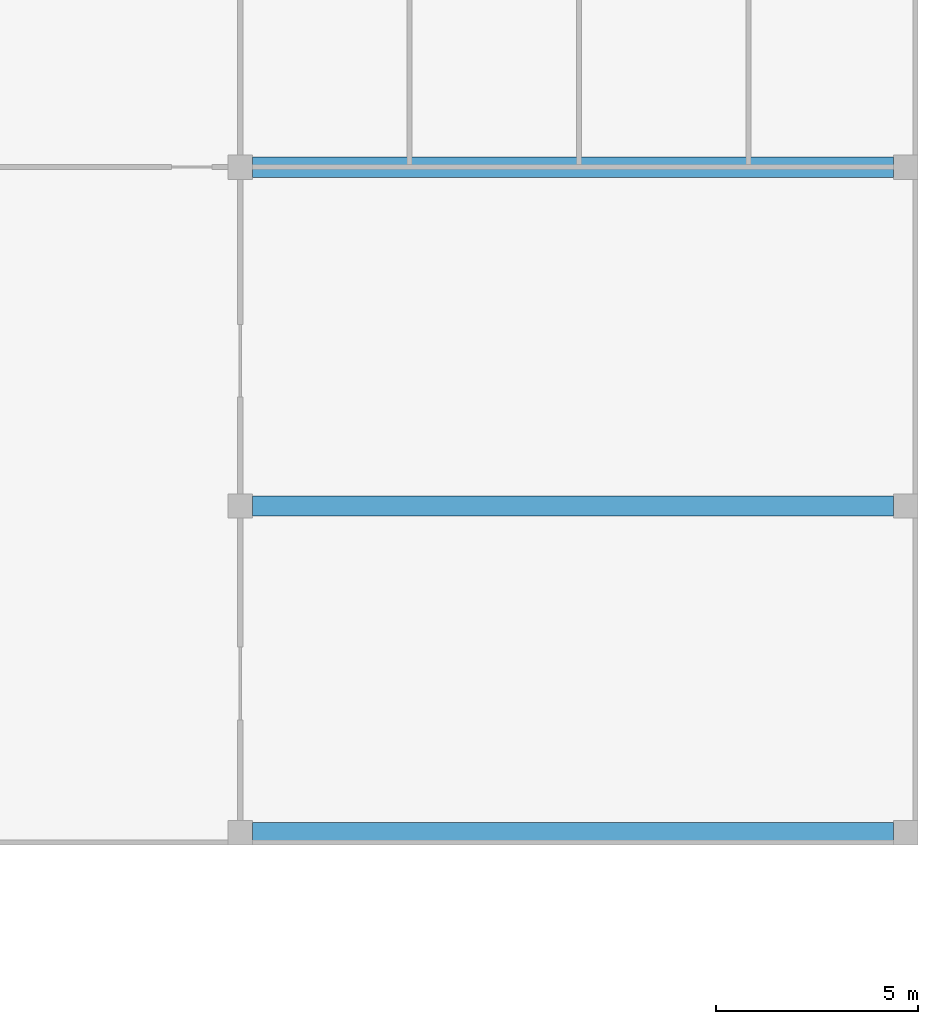
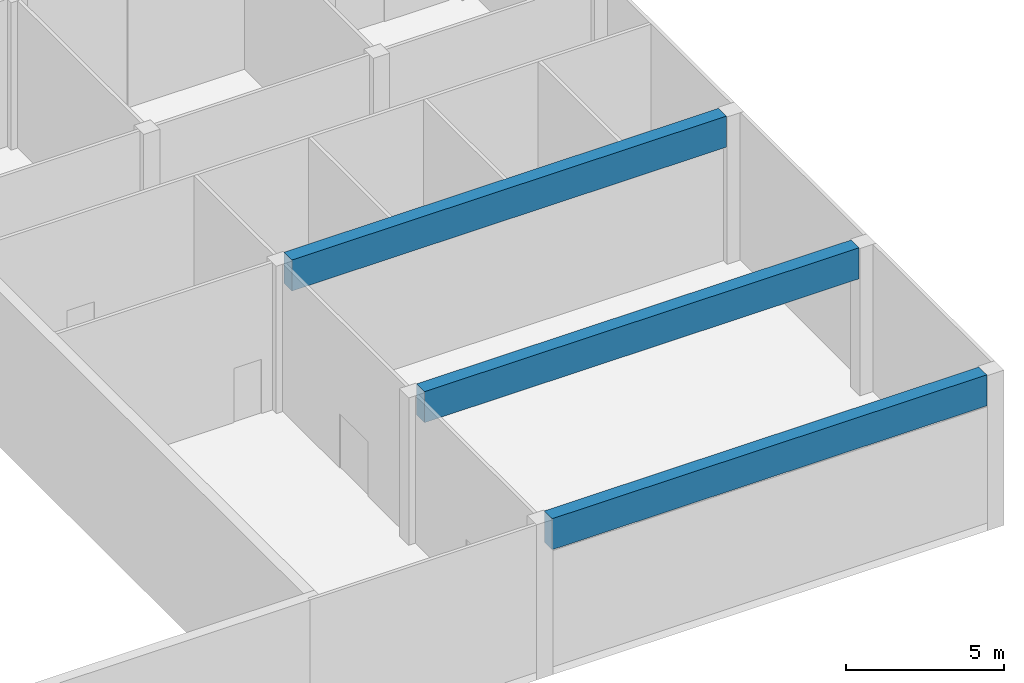
# One storey, part 11 of 47: 3 beams.
"""IFC4 building model written with IfcOpenShell, lengths in metres."""

import ifcopenshell
import ifcopenshell.guid

model = None  # the IFC model being written
_history = None  # IfcOwnerHistory: only IFC2X3 demands one
_inside = {}  # id of a spatial element -> (the spatial element, [elements in it])
_under = {}  # id of a project, library or spatial element -> (it, [spatial elements below it])
_declared = {}  # id of a project -> (the project, [libraries it declares])
_typed = {}  # id of a type object -> (the type object, [elements of that type])
_made_of = {}  # id of a material, layer set ... -> (it, [elements and type objects made of it])


def new_model(schema):
    """Start an empty IFC model of exactly this schema.

    Asked for "IFC4X3", IfcOpenShell would pick the latest addendum, in which some entities
    have other attributes; the version numbers below select the first issue.
    IFC2X3 requires an IfcOwnerHistory on every rooted entity: one is made here for all.
    """
    global model, _history
    if schema == "IFC4X3":
        model = ifcopenshell.file(schema_version=(4, 3, 0, 0))
    else:
        model = ifcopenshell.file(schema=schema)
    _inside.clear()
    _under.clear()
    _declared.clear()
    _typed.clear()
    _made_of.clear()
    _history = None
    if model.schema == "IFC2X3":
        org = make("IfcOrganization", Name="unknown")
        user = make(
            "IfcPersonAndOrganization",
            ThePerson=make("IfcPerson", FamilyName="unknown"),
            TheOrganization=org,
        )
        app = make(
            "IfcApplication",
            ApplicationDeveloper=org,
            Version="unknown",
            ApplicationFullName="unknown",
            ApplicationIdentifier="unknown",
        )
        _history = make(
            "IfcOwnerHistory",
            OwningUser=user,
            OwningApplication=app,
            ChangeAction="ADDED",
            CreationDate=0,
        )
    return model


def make(cls, **values):
    """One entity of the class cls with the attributes given. An attribute that is None is left unset."""
    return model.create_entity(
        cls, **{name: value for name, value in values.items() if value is not None}
    )


def rooted(cls, **values):
    """An entity with a GlobalId (a new one), such as an element, a storey or a relation."""
    return make(cls, GlobalId=ifcopenshell.guid.new(), OwnerHistory=_history, **values)


def si_unit(unit_type, name, prefix=None):
    """IfcSIUnit, for example si_unit("LENGTHUNIT", "METRE", prefix="MILLI")."""
    return make("IfcSIUnit", UnitType=unit_type, Prefix=prefix, Name=name)


def assignment(units):
    """IfcUnitAssignment: the units of a project."""
    return None if units is None else make("IfcUnitAssignment", Units=units)


def point(xyz):
    """IfcCartesianPoint."""
    return None if xyz is None else make("IfcCartesianPoint", Coordinates=xyz)


def direction(xyz):
    """IfcDirection."""
    return None if xyz is None else make("IfcDirection", DirectionRatios=xyz)


def frame(location, z_axis=None, x_axis=None):
    """IfcAxis2Placement3D, a coordinate frame: its origin and axes. An axis left out is left unset."""
    return make(
        "IfcAxis2Placement3D",
        Location=point(location),
        Axis=direction(z_axis),
        RefDirection=direction(x_axis),
    )


def frame_2d(location, x_axis=None):
    """IfcAxis2Placement2D, a coordinate frame in the plane: its origin and x axis."""
    return make(
        "IfcAxis2Placement2D", Location=point(location), RefDirection=direction(x_axis)
    )


def origin():
    """The frame at (0, 0, 0) with its axes left unset."""
    return frame((0.0, 0.0, 0.0))


def origin_2d():
    """The frame at (0, 0) in the plane with its x axis left unset."""
    return frame_2d((0.0, 0.0))


def place(relative_to, where):
    """IfcLocalPlacement: puts the frame where relative to a parent placement (None: the world)."""
    return make(
        "IfcLocalPlacement", PlacementRelTo=relative_to, RelativePlacement=where
    )


def context(
    kind, dimensions, precision=None, world=None, true_north=None, identifier=None
):
    """IfcGeometricRepresentationContext, for example the 3D "Model" context."""
    return make(
        "IfcGeometricRepresentationContext",
        ContextIdentifier=identifier,
        ContextType=kind,
        CoordinateSpaceDimension=dimensions,
        Precision=precision,
        WorldCoordinateSystem=world,
        TrueNorth=true_north,
    )


def subcontext(parent, identifier, kind, view, scale=None):
    """IfcGeometricRepresentationSubContext, for example "Body" below "Model"."""
    return make(
        "IfcGeometricRepresentationSubContext",
        ContextIdentifier=identifier,
        ContextType=kind,
        ParentContext=parent,
        TargetScale=scale,
        TargetView=view,
    )


def project(units=None, contexts=None):
    """IfcProject with its units and contexts."""
    return rooted(
        "IfcProject",
        Name="project",
        RepresentationContexts=contexts,
        UnitsInContext=assignment(units),
    )


def spatial(cls, under=None, at=None, **own):
    """A site, building, storey or space (cls), placed at a placement, below another one or the project."""
    s = rooted(cls, ObjectPlacement=at, **own)
    if under is not None:
        _under.setdefault(under.id(), (under, []))[1].append(s)
    return s


def profile(cls, at=None, kind="AREA", **sizes):
    """A parametric profile (cls). Its sizes go by their IFC names, for example OverallWidth=200.0."""
    return make(cls, ProfileType=kind, Position=at, **sizes)


def rectangle(**sizes):
    """IfcRectangleProfileDef."""
    return profile("IfcRectangleProfileDef", **sizes)


def extrude(swept, where, along, depth):
    """IfcExtrudedAreaSolid: the profile swept, set in the frame where, extruded along a direction by depth."""
    return make(
        "IfcExtrudedAreaSolid",
        SweptArea=swept,
        Position=where,
        ExtrudedDirection=direction(along),
        Depth=depth,
    )


def shape(context_of_items, identifier, shape_type, items):
    """IfcShapeRepresentation: the items that make up one representation, for example the "Body"."""
    return make(
        "IfcShapeRepresentation",
        ContextOfItems=context_of_items,
        RepresentationIdentifier=identifier,
        RepresentationType=shape_type,
        Items=items,
    )


def material(Name=None, Category=None):
    """IfcMaterial."""
    return make("IfcMaterial", Name=Name, Category=Category)


def material_profile(
    of_material, cross_section, Name=None, Category=None, Priority=None
):
    """IfcMaterialProfile: a cross section and its material."""
    return make(
        "IfcMaterialProfile",
        Name=Name,
        Material=of_material,
        Profile=cross_section,
        Priority=Priority,
        Category=Category,
    )


def profile_set(profiles, Name=None, composite=None):
    """IfcMaterialProfileSet."""
    return make(
        "IfcMaterialProfileSet",
        Name=Name,
        MaterialProfiles=profiles,
        CompositeProfile=composite,
    )


def made_of(thing, what):
    """Note that an element or type object is made of a material, layer set ...; save() writes the relation."""
    if what is not None:
        _made_of.setdefault(what.id(), (what, []))[1].append(thing)
    return thing


def type_object(cls, material=None, **own):
    """A type object (cls), such as IfcWallType, which elements share."""
    return made_of(rooted(cls, **own), material)


def element(
    cls,
    number,
    at=None,
    inside=None,
    cuts=None,
    type_object=None,
    material=None,
    context=None,
    identifier="Body",
    shape_type=None,
    held_by="IfcProductDefinitionShape",
    body=None,
    shapes=None,
    **own,
):
    """One element of the class cls, such as IfcWall. Its Tag is "e" and its number.

    at: its placement. inside: the storey or other place that contains it. cuts: it is an
    opening in that element (IfcRelVoidsElement). A single representation is given by context,
    identifier, shape_type and body (its items); several are given by shapes. held_by: the class
    of the entity that holds the representations. save() writes the other relations.
    """
    e = rooted(cls, Tag="e%d" % number, ObjectPlacement=at, **own)
    if body is not None:
        shapes = [shape(context, identifier, shape_type, body)]
    if shapes is not None:
        e.Representation = make(held_by, Representations=shapes)
    if inside is not None:
        _inside.setdefault(inside.id(), (inside, []))[1].append(e)
    if cuts is not None:
        rooted(
            "IfcRelVoidsElement", RelatingBuildingElement=cuts, RelatedOpeningElement=e
        )
    if type_object is not None:
        _typed.setdefault(type_object.id(), (type_object, []))[1].append(e)
    return made_of(e, material)


def aggregate(whole, parts):
    """IfcRelAggregates: a whole, such as a stair, and the parts it consists of."""
    return rooted("IfcRelAggregates", RelatingObject=whole, RelatedObjects=parts)


def save(model, path):
    """Write the relations noted so far, then the file.

    IfcRelAggregates (storeys below a building ...), IfcRelContainedInSpatialStructure (elements
    in a storey), IfcRelDefinesByType, IfcRelAssociatesMaterial and IfcRelDeclares: one each for
    every whole, place, type object, material and project.
    """
    for whole, parts in _under.values():
        aggregate(whole, parts)
    for where, things in _inside.values():
        rooted(
            "IfcRelContainedInSpatialStructure",
            RelatedElements=things,
            RelatingStructure=where,
        )
    for kind, things in _typed.values():
        rooted("IfcRelDefinesByType", RelatedObjects=things, RelatingType=kind)
    for what, things in _made_of.values():
        rooted("IfcRelAssociatesMaterial", RelatedObjects=things, RelatingMaterial=what)
    for by, libraries in _declared.values():
        rooted("IfcRelDeclares", RelatingContext=by, RelatedDefinitions=libraries)
    model.write(path)


model = new_model("IFC4")

# Units and contexts
model_context = context("Model", 3, precision=1e-05, world=origin(), true_north=direction((0.0, 1.0)))
body_context = subcontext(model_context, "Body", "Model", "MODEL_VIEW")
ifc_project = project(units=[si_unit("LENGTHUNIT", "METRE"), si_unit("AREAUNIT", "SQUARE_METRE"), si_unit("VOLUMEUNIT", "CUBIC_METRE"), si_unit("PLANEANGLEUNIT", "RADIAN"), si_unit("MASSUNIT", "GRAM", prefix="KILO")], contexts=[model_context])

# Site, building, storey
site_placement = place(None, origin())
site = spatial("IfcSite", under=ifc_project, at=site_placement, CompositionType="ELEMENT")
building_placement = place(site_placement, origin())
building = spatial("IfcBuilding", under=site, at=building_placement, Name="Candeia Pilgrim Tower and Theatre", CompositionType="ELEMENT")
storey_placement = place(building_placement, frame((0.0, 0.0, 23.0)))
storey = spatial("IfcBuildingStorey", under=building, at=storey_placement, Name="L03", CompositionType="ELEMENT", Elevation=23.0)

# Beams
ifc_material = material(Name="Concrete C35/45", Category="concrete")
ifc_material_profile = material_profile(ifc_material, rectangle(XDim=0.5, YDim=1.199951171875, at=origin_2d()))
ifc_profile_set = profile_set([ifc_material_profile], Name="Concrete C35/45")
beam_type = type_object("IfcBeamType", Name="Theatre beam 500x1200", PredefinedType="BEAM", material=ifc_profile_set)
for number, where, z_axis, x_axis, name in (
    (1, (226.699951171875, 66.300048828125, 5.10009765625), (1.0, 0.0, 0.0), (0.0, 1.0, 0.0), "Studio beam L03 66"),
    (2, (226.699951171875, 74.39990234375, 5.10009765625), (1.0, 0.0, 0.0), (0.0, 1.0, 0.0), "Studio beam L03 74"),
    (3, (226.699951171875, 82.800048828125, 5.10009765625), (1.0, 0.0, 0.0), (0.0, 1.0, 0.0), "Studio beam L03 82"),
):
    element("IfcBeam", number, at=place(storey_placement, frame(where, z_axis=z_axis, x_axis=x_axis)), inside=storey, type_object=beam_type, Name=name, PredefinedType="BEAM", context=body_context, shape_type="SweptSolid", body=[
        extrude(rectangle(XDim=0.5, YDim=1.199951171875, at=origin_2d()), origin(), (0.0, 0.0, 1.0), 15.900146484375),
    ])

save(model, "model.ifc")
